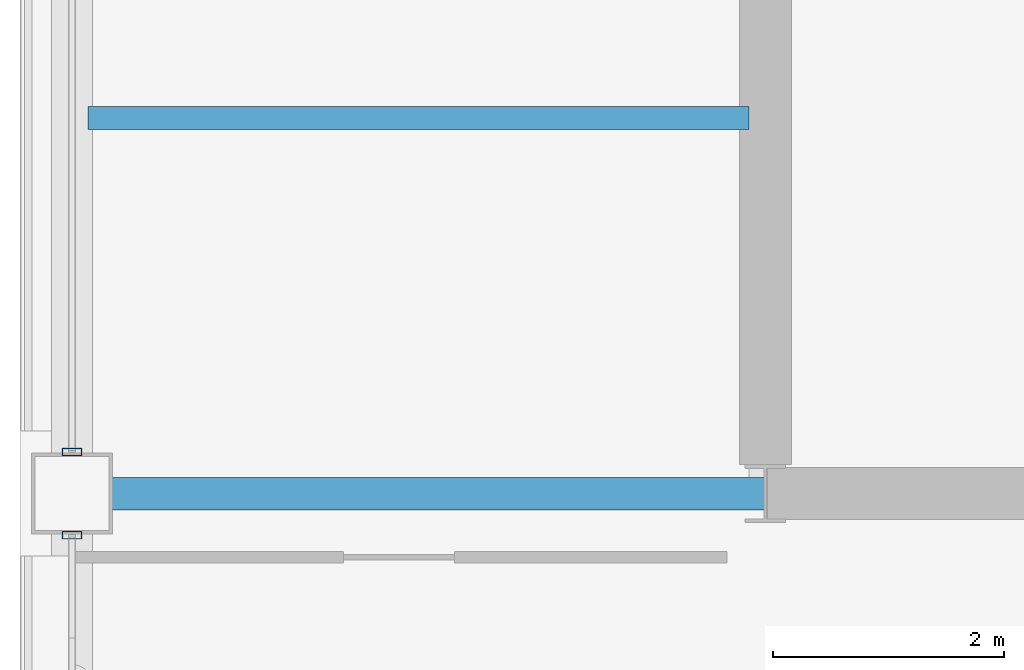
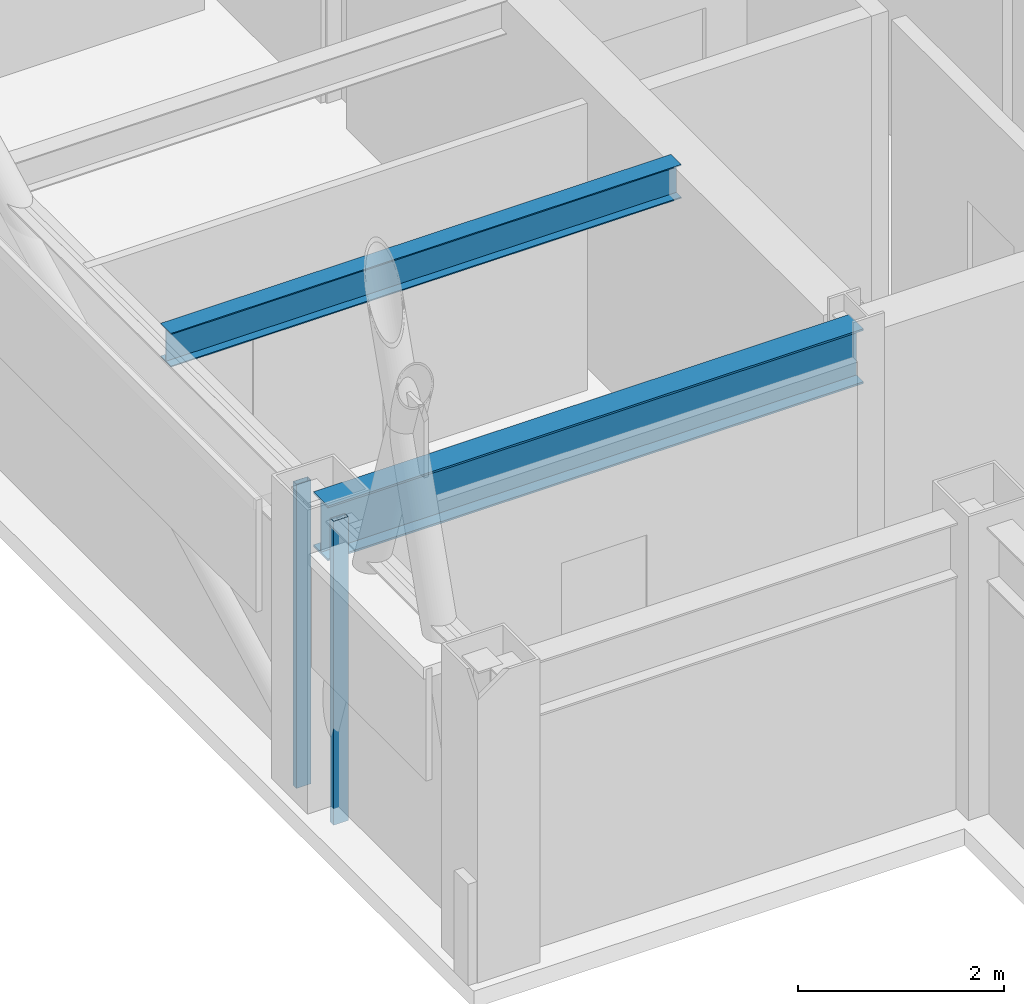
# One storey, part 6 of 33: 2 beams, 2 members, 2 elements without a shape of their own.
"""IFC4 building model written with IfcOpenShell, lengths in metres."""

from ifc_helpers import new_model, si_unit, direction, frame, origin, origin_2d, place, context, subcontext, project, spatial, hollow_rectangle, i_section, extrude, material, layer, layer_set, material_profile, profile_set, type_object, element, aggregate, save


model = new_model("IFC4")

# Units and contexts
model_context = context("Model", 3, precision=1e-05, world=origin(), true_north=direction((0.0, 1.0)))
body_context = subcontext(model_context, "Body", "Model", "MODEL_VIEW")
ifc_project = project(units=[si_unit("LENGTHUNIT", "METRE"), si_unit("AREAUNIT", "SQUARE_METRE"), si_unit("VOLUMEUNIT", "CUBIC_METRE"), si_unit("PLANEANGLEUNIT", "RADIAN"), si_unit("MASSUNIT", "GRAM", prefix="KILO")], contexts=[model_context])

# Site, building, storey
site_placement = place(None, origin())
site = spatial("IfcSite", under=ifc_project, at=site_placement, CompositionType="ELEMENT")
building_placement = place(site_placement, origin())
building = spatial("IfcBuilding", under=site, at=building_placement, Name="Brelmoor Portico Tower", CompositionType="ELEMENT")
storey_placement = place(building_placement, frame((0.0, 0.0, 183.89990234375)))
storey = spatial("IfcBuildingStorey", under=building, at=storey_placement, Name="L48", CompositionType="ELEMENT", Elevation=183.89990234375)

# Beams
ifc_material_1 = material(Name="Steel Q355B", Category="steel")
ifc_material_profile_1 = material_profile(ifc_material_1, i_section(OverallWidth=0.199951171875, OverallDepth=0.39990234375, WebThickness=0.008056640625, FlangeThickness=0.012939453125, at=origin_2d()), Name="HN 400x200x8x13")
ifc_profile_set_1 = profile_set([ifc_material_profile_1], Name="Steel Q355B")
beam_type_1 = type_object("IfcBeamType", Name="BM-JS-400", PredefinedType="JOIST", material=ifc_profile_set_1)
beam_1_placement = place(storey_placement, frame((-20.409912109375, -6.5, 3.2001953125), z_axis=(1.0, 0.0, 0.0), x_axis=(0.0, 1.0, 0.0)))
element("IfcBeam", 1, at=beam_1_placement, inside=storey, type_object=beam_type_1, Name="L48 Secondary Wing Joist JS-W05", PredefinedType="JOIST", context=body_context, shape_type="SweptSolid", body=[
    extrude(i_section(OverallWidth=0.199951171875, OverallDepth=0.39990234375, WebThickness=0.008056640625, FlangeThickness=0.012939453125, at=origin_2d()), origin(), (0.0, 0.0, 1.0), 5.719970703125),
])
ifc_material_profile_2 = material_profile(ifc_material_1, i_section(OverallWidth=0.280029296875, OverallDepth=0.64990234375, WebThickness=0.012939453125, FlangeThickness=0.02197265625, at=origin_2d()), Name="HN 650x280x13x22")
ifc_profile_set_2 = profile_set([ifc_material_profile_2], Name="Steel Q355B")
beam_type_2 = type_object("IfcBeamType", Name="BM-PG-650", PredefinedType="BEAM", material=ifc_profile_set_2)
beam_2_placement = place(storey_placement, frame((-20.550048828125, -9.75, 3.0751953125), z_axis=(1.0, 0.0, 0.0), x_axis=(0.0, 1.0, 0.0)))
element("IfcBeam", 2, at=beam_2_placement, inside=storey, type_object=beam_type_2, Name="L48 Primary Floor Girder PG-11", PredefinedType="BEAM", context=body_context, shape_type="SweptSolid", body=[
    extrude(i_section(OverallWidth=0.280029296875, OverallDepth=0.64990234375, WebThickness=0.012939453125, FlangeThickness=0.02197265625, at=origin_2d()), origin(), (0.0, 0.0, 1.0), 6.0),
])

# Curtain wall, member
ifc_material_2 = material(Name="Anodised Aluminium Alloy 6063-T6", Category="aluminium")
ifc_layer = layer(ifc_material_2, 0.179931640625)
ifc_layer_set = layer_set([ifc_layer], Name="Anodised Aluminium Alloy 6063-T6")
curtain_wall_type = type_object("IfcCurtainWallType", Name="CW-TOWER-Z3-XB", PredefinedType="NOTDEFINED", material=ifc_layer_set)
curtain_wall_1_placement = place(storey_placement, origin())
curtain_wall_1 = element("IfcCurtainWall", 3, at=curtain_wall_1_placement, inside=storey, type_object=curtain_wall_type, Name="L48 Curtain Wall CW-L48-03-1", PredefinedType="NOTDEFINED")
ifc_material_profile_3 = material_profile(ifc_material_2, hollow_rectangle(XDim=0.06494140625, YDim=0.1650390625, WallThickness=0.00390625, at=origin_2d()), Name="ALU MULLION 65x165")
ifc_profile_set_3 = profile_set([ifc_material_profile_3], Name="Anodised Aluminium Alloy 6063-T6")
member_type = type_object("IfcMemberType", Name="MB-CW-MULL-165", PredefinedType="MULLION", material=ifc_profile_set_3)
member_1_placement = place(storey_placement, frame((-20.550048828125, -10.110107421875, -0.199951171875), z_axis=(0.0, 0.0, 1.0), x_axis=(0.0, 1.0, 0.0)))
member_1 = element("IfcMember", 4, at=member_1_placement, type_object=member_type, Name="CW-L48-03-1 Mullion 01", PredefinedType="MULLION", context=body_context, shape_type="SweptSolid", body=[
    extrude(hollow_rectangle(XDim=0.06494140625, YDim=0.1650390625, WallThickness=0.00390625, at=origin_2d()), origin(), (0.0, 0.0, 1.0), 3.60009765625),
])
aggregate(curtain_wall_1, [member_1])

curtain_wall_2_placement = place(storey_placement, origin())
curtain_wall_2 = element("IfcCurtainWall", 5, at=curtain_wall_2_placement, inside=storey, type_object=curtain_wall_type, Name="L48 Curtain Wall CW-L48-03-2", PredefinedType="NOTDEFINED")
member_2_placement = place(storey_placement, frame((-20.550048828125, -9.389892578125, -0.199951171875), z_axis=(0.0, 0.0, 1.0), x_axis=(0.0, 1.0, 0.0)))
member_2 = element("IfcMember", 6, at=member_2_placement, type_object=member_type, Name="CW-L48-03-2 Mullion 00", PredefinedType="MULLION", context=body_context, shape_type="SweptSolid", body=[
    extrude(hollow_rectangle(XDim=0.06494140625, YDim=0.1650390625, WallThickness=0.00390625, at=origin_2d()), origin(), (0.0, 0.0, 1.0), 3.60009765625),
])
aggregate(curtain_wall_2, [member_2])

save(model, "model.ifc")
